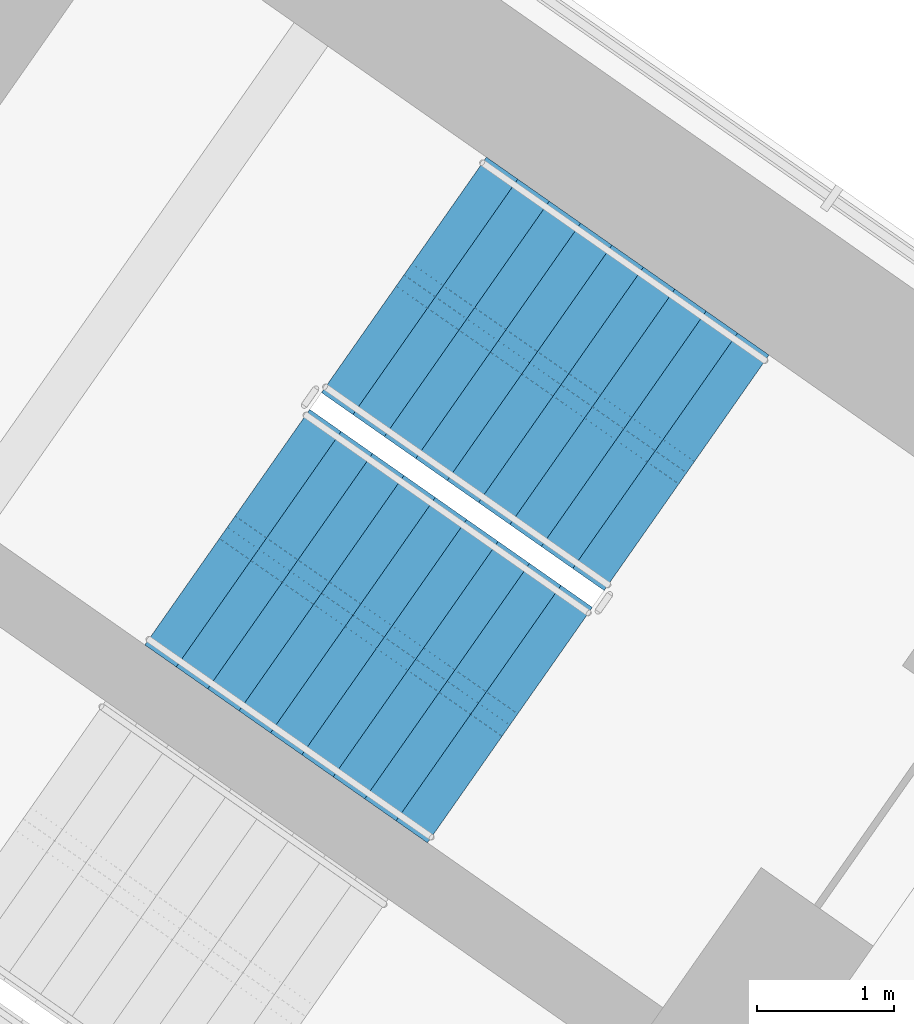
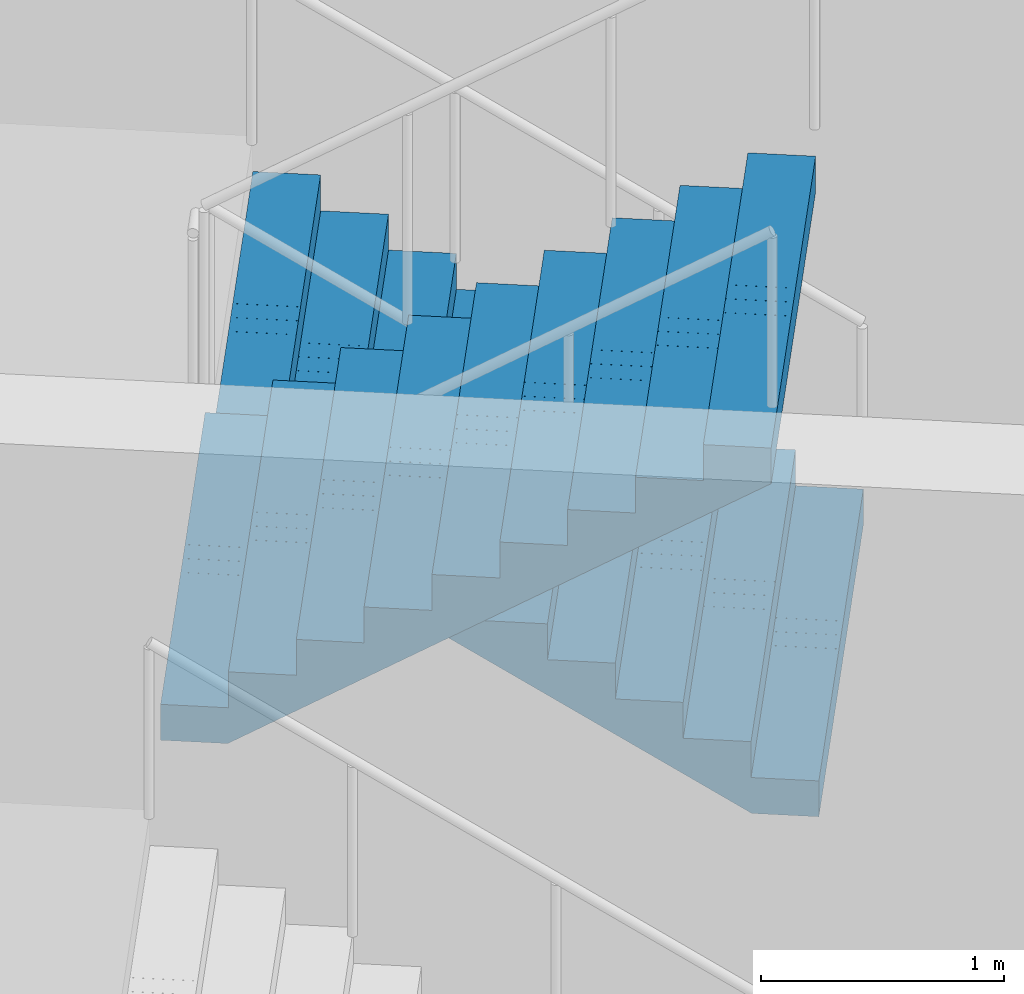
# One storey, part 17 of 23: 2 stair flights, 1 element without a shape of its own.
"""IFC4 building model written with IfcOpenShell, lengths in metres."""

from ifc_helpers import new_model, si_unit, direction, frame, origin, place, context, subcontext, project, spatial, polyline, outline, extrude, material, type_object, element, aggregate, save


model = new_model("IFC4")

# Units and contexts
model_context = context("Model", 3, precision=1e-05, world=origin(), true_north=direction((0.0, 1.0)))
body_context = subcontext(model_context, "Body", "Model", "MODEL_VIEW")
ifc_project = project(units=[si_unit("LENGTHUNIT", "METRE"), si_unit("AREAUNIT", "SQUARE_METRE"), si_unit("VOLUMEUNIT", "CUBIC_METRE"), si_unit("PLANEANGLEUNIT", "RADIAN"), si_unit("MASSUNIT", "GRAM", prefix="KILO")], contexts=[model_context])

# Site, building, storey
site_placement = place(None, origin())
site = spatial("IfcSite", under=ifc_project, at=site_placement, CompositionType="ELEMENT")
building_placement = place(site_placement, origin())
building = spatial("IfcBuilding", under=site, at=building_placement, Name="Tel Ilan Convention Tower", CompositionType="ELEMENT")
storey_placement = place(building_placement, frame((0.0, 0.0, 108.5)))
storey = spatial("IfcBuildingStorey", under=building, at=storey_placement, Name="L23", CompositionType="ELEMENT", Elevation=108.5)

# Stair, stair flights
ifc_material_1 = material(Name="Concrete C40/50", Category="concrete")
stair_type = type_object("IfcStairType", Name="Pressurised Exit Stair 20 risers 180 mm", PredefinedType="HALF_TURN_STAIR", material=ifc_material_1)
stair_placement = place(storey_placement, origin())
stair = element("IfcStair", 1, at=stair_placement, inside=storey, type_object=stair_type, Name="L23 Pressurised Stair S3", PredefinedType="HALF_TURN_STAIR")
ifc_material_2 = material(Name="Precast Concrete C40/50", Category="concrete")
stair_flight_type = type_object("IfcStairFlightType", Name="Concrete Stair Flight 2100 mm 20 risers 180 mm", PredefinedType="STRAIGHT", material=ifc_material_2)
stair_flight_1_placement = place(storey_placement, frame((24.25244140625, -7.032470703125, 0.0), z_axis=(0.0, 0.0, 1.0), x_axis=(-0.819152044289, 0.573576436351, 0.0)))
stair_flight_1 = element("IfcStairFlight", 2, at=stair_flight_1_placement, type_object=stair_flight_type, Name="S3 flight 1", NumberOfRisers=10, NumberOfTreads=9, PredefinedType="STRAIGHT", RiserHeight=0.18, TreadLength=0.28, context=body_context, shape_type="SweptSolid", body=[
    extrude(outline(polyline([(0.0, 0.0), (0.0, 0.179931640625), (0.280029296875, 0.179931640625), (0.280029296875, 0.360107421875), (0.56005859375, 0.360107421875), (0.56005859375, 0.5400390625), (0.840087890625, 0.5400390625), (0.840087890625, 0.719970703125), (1.1201171875, 0.719970703125), (1.1201171875, 0.89990234375), (1.39990234375, 0.89990234375), (1.39990234375, 1.080078125), (1.679931640625, 1.080078125), (1.679931640625, 1.260009765625), (1.9599609375, 1.260009765625), (1.9599609375, 1.43994140625), (2.239990234375, 1.43994140625), (2.239990234375, 1.6201171875), (2.52001953125, 1.6201171875), (2.52001953125, 1.800048828125), (2.52001953125, 1.44189453125), (0.277099609375, 0.0), (0.0, 0.0)])), frame((0.0, -0.100341796875, 0.0), z_axis=(0.0, -1.0, 0.0), x_axis=(1.0, 0.0, 0.0)), (0.0, 0.0, 1.0), 0.94970703125),
    extrude(outline(polyline([(0.0, 0.0), (0.0, 0.179931640625), (0.280029296875, 0.179931640625), (0.280029296875, 0.360107421875), (0.56005859375, 0.360107421875), (0.56005859375, 0.5400390625), (0.840087890625, 0.5400390625), (0.840087890625, 0.719970703125), (1.1201171875, 0.719970703125), (1.1201171875, 0.89990234375), (1.39990234375, 0.89990234375), (1.39990234375, 1.080078125), (1.679931640625, 1.080078125), (1.679931640625, 1.260009765625), (1.9599609375, 1.260009765625), (1.9599609375, 1.43994140625), (2.239990234375, 1.43994140625), (2.239990234375, 1.6201171875), (2.52001953125, 1.6201171875), (2.52001953125, 1.800048828125), (2.52001953125, 1.44189453125), (0.277099609375, 0.0), (0.0, 0.0)])), frame((0.0, -0.000244140625, 0.0), z_axis=(0.0, -1.0, 0.0), x_axis=(1.0, 0.0, 0.0)), (0.0, 0.0, 1.0), 0.099609375),
    extrude(outline(polyline([(0.0, 0.0), (0.0, 0.179931640625), (0.280029296875, 0.179931640625), (0.280029296875, 0.360107421875), (0.56005859375, 0.360107421875), (0.56005859375, 0.5400390625), (0.840087890625, 0.5400390625), (0.840087890625, 0.719970703125), (1.1201171875, 0.719970703125), (1.1201171875, 0.89990234375), (1.39990234375, 0.89990234375), (1.39990234375, 1.080078125), (1.679931640625, 1.080078125), (1.679931640625, 1.260009765625), (1.9599609375, 1.260009765625), (1.9599609375, 1.43994140625), (2.239990234375, 1.43994140625), (2.239990234375, 1.6201171875), (2.52001953125, 1.6201171875), (2.52001953125, 1.800048828125), (2.52001953125, 1.44189453125), (0.277099609375, 0.0), (0.0, 0.0)])), frame((0.0, 0.099853515625, 0.0), z_axis=(0.0, -1.0, 0.0), x_axis=(1.0, 0.0, 0.0)), (0.0, 0.0, 1.0), 0.099609375),
    extrude(outline(polyline([(0.0, 0.0), (0.0, 0.179931640625), (0.280029296875, 0.179931640625), (0.280029296875, 0.360107421875), (0.56005859375, 0.360107421875), (0.56005859375, 0.5400390625), (0.840087890625, 0.5400390625), (0.840087890625, 0.719970703125), (1.1201171875, 0.719970703125), (1.1201171875, 0.89990234375), (1.39990234375, 0.89990234375), (1.39990234375, 1.080078125), (1.679931640625, 1.080078125), (1.679931640625, 1.260009765625), (1.9599609375, 1.260009765625), (1.9599609375, 1.43994140625), (2.239990234375, 1.43994140625), (2.239990234375, 1.6201171875), (2.52001953125, 1.6201171875), (2.52001953125, 1.800048828125), (2.52001953125, 1.44189453125), (0.277099609375, 0.0), (0.0, 0.0)])), frame((0.0, 1.050048828125, 0.0), z_axis=(0.0, -1.0, 0.0), x_axis=(1.0, 0.0, 0.0)), (0.0, 0.0, 1.0), 0.94970703125),
])
stair_flight_2_placement = place(storey_placement, frame((20.8974609375, -7.43017578125, 1.800048828125), z_axis=(0.0, 0.0, 1.0), x_axis=(0.819152044289, -0.573576436351, 0.0)))
stair_flight_2 = element("IfcStairFlight", 3, at=stair_flight_2_placement, type_object=stair_flight_type, Name="S3 flight 2", NumberOfRisers=10, NumberOfTreads=9, PredefinedType="STRAIGHT", RiserHeight=0.18, TreadLength=0.28, context=body_context, shape_type="SweptSolid", body=[
    extrude(outline(polyline([(0.0, 0.0), (0.0, 0.179931640625), (0.280029296875, 0.179931640625), (0.280029296875, 0.360107421875), (0.56005859375, 0.360107421875), (0.56005859375, 0.5400390625), (0.840087890625, 0.5400390625), (0.840087890625, 0.719970703125), (1.1201171875, 0.719970703125), (1.1201171875, 0.89990234375), (1.39990234375, 0.89990234375), (1.39990234375, 1.080078125), (1.679931640625, 1.080078125), (1.679931640625, 1.260009765625), (1.9599609375, 1.260009765625), (1.9599609375, 1.43994140625), (2.239990234375, 1.43994140625), (2.239990234375, 1.6201171875), (2.52001953125, 1.6201171875), (2.52001953125, 1.800048828125), (2.52001953125, 1.44189453125), (0.277099609375, 0.0), (0.0, 0.0)])), frame((0.0, -0.100341796875, 0.0), z_axis=(0.0, -1.0, 0.0), x_axis=(1.0, 0.0, 0.0)), (0.0, 0.0, 1.0), 0.94970703125),
    extrude(outline(polyline([(0.0, 0.0), (0.0, 0.179931640625), (0.280029296875, 0.179931640625), (0.280029296875, 0.360107421875), (0.56005859375, 0.360107421875), (0.56005859375, 0.5400390625), (0.840087890625, 0.5400390625), (0.840087890625, 0.719970703125), (1.1201171875, 0.719970703125), (1.1201171875, 0.89990234375), (1.39990234375, 0.89990234375), (1.39990234375, 1.080078125), (1.679931640625, 1.080078125), (1.679931640625, 1.260009765625), (1.9599609375, 1.260009765625), (1.9599609375, 1.43994140625), (2.239990234375, 1.43994140625), (2.239990234375, 1.6201171875), (2.52001953125, 1.6201171875), (2.52001953125, 1.800048828125), (2.52001953125, 1.44189453125), (0.277099609375, 0.0), (0.0, 0.0)])), frame((0.0, -0.000244140625, 0.0), z_axis=(0.0, -1.0, 0.0), x_axis=(1.0, 0.0, 0.0)), (0.0, 0.0, 1.0), 0.099609375),
    extrude(outline(polyline([(0.0, 0.0), (0.0, 0.179931640625), (0.280029296875, 0.179931640625), (0.280029296875, 0.360107421875), (0.56005859375, 0.360107421875), (0.56005859375, 0.5400390625), (0.840087890625, 0.5400390625), (0.840087890625, 0.719970703125), (1.1201171875, 0.719970703125), (1.1201171875, 0.89990234375), (1.39990234375, 0.89990234375), (1.39990234375, 1.080078125), (1.679931640625, 1.080078125), (1.679931640625, 1.260009765625), (1.9599609375, 1.260009765625), (1.9599609375, 1.43994140625), (2.239990234375, 1.43994140625), (2.239990234375, 1.6201171875), (2.52001953125, 1.6201171875), (2.52001953125, 1.800048828125), (2.52001953125, 1.44189453125), (0.277099609375, 0.0), (0.0, 0.0)])), frame((0.0, 0.099853515625, 0.0), z_axis=(0.0, -1.0, 0.0), x_axis=(1.0, 0.0, 0.0)), (0.0, 0.0, 1.0), 0.099609375),
    extrude(outline(polyline([(0.0, 0.0), (0.0, 0.179931640625), (0.280029296875, 0.179931640625), (0.280029296875, 0.360107421875), (0.56005859375, 0.360107421875), (0.56005859375, 0.5400390625), (0.840087890625, 0.5400390625), (0.840087890625, 0.719970703125), (1.1201171875, 0.719970703125), (1.1201171875, 0.89990234375), (1.39990234375, 0.89990234375), (1.39990234375, 1.080078125), (1.679931640625, 1.080078125), (1.679931640625, 1.260009765625), (1.9599609375, 1.260009765625), (1.9599609375, 1.43994140625), (2.239990234375, 1.43994140625), (2.239990234375, 1.6201171875), (2.52001953125, 1.6201171875), (2.52001953125, 1.800048828125), (2.52001953125, 1.44189453125), (0.277099609375, 0.0), (0.0, 0.0)])), frame((0.0, 1.050048828125, 0.0), z_axis=(0.0, -1.0, 0.0), x_axis=(1.0, 0.0, 0.0)), (0.0, 0.0, 1.0), 0.94970703125),
])
aggregate(stair, [stair_flight_1, stair_flight_2])

save(model, "model.ifc")
